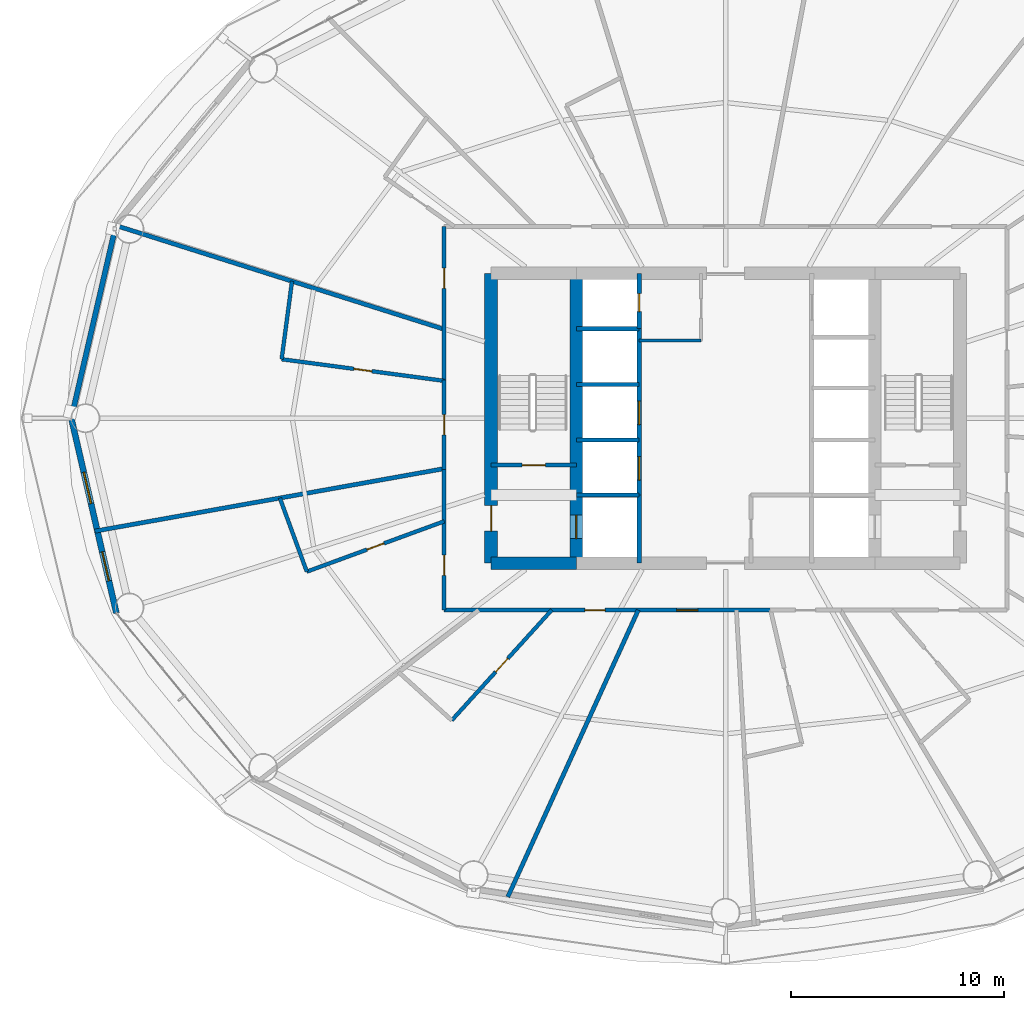
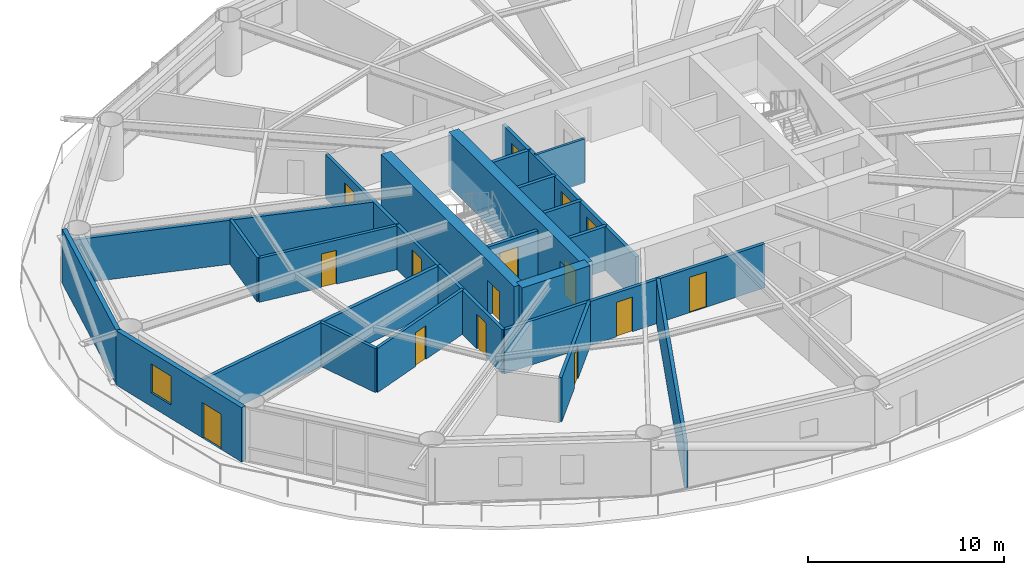
# One storey, part 20 of 26: 26 walls, 15 doors, 1 window, 16 openings.
"""IFC4 building model written with IfcOpenShell, lengths in metres."""

from ifc_helpers import new_model, si_unit, direction, frame, frame_2d, origin, place, context, subcontext, project, spatial, rectangle, extrude, material, layer, layer_set, type_object, element, fill, save


model = new_model("IFC4")

# Units and contexts
model_context = context("Model", 3, precision=1e-05, world=origin(), true_north=direction((0.0, 1.0)))
body_context = subcontext(model_context, "Body", "Model", "MODEL_VIEW")
ifc_project = project(units=[si_unit("LENGTHUNIT", "METRE"), si_unit("AREAUNIT", "SQUARE_METRE"), si_unit("VOLUMEUNIT", "CUBIC_METRE"), si_unit("PLANEANGLEUNIT", "RADIAN"), si_unit("MASSUNIT", "GRAM", prefix="KILO")], contexts=[model_context])

# Site, building, storey
site_placement = place(None, origin())
site = spatial("IfcSite", under=ifc_project, at=site_placement, CompositionType="ELEMENT")
building_placement = place(site_placement, origin())
building = spatial("IfcBuilding", under=site, at=building_placement, Name="Sarneth Arch Tower", CompositionType="ELEMENT")
storey_placement = place(building_placement, frame((0.0, 0.0, 49.800048828125)))
storey = spatial("IfcBuildingStorey", under=building, at=storey_placement, Name="L11", CompositionType="ELEMENT", Elevation=49.800048828125)

# Wall
ifc_material_1 = material(Name="Concrete C60/75", Category="concrete")
ifc_layer_1 = layer(ifc_material_1, 0.60009765625)
ifc_layer_set_1 = layer_set([ifc_layer_1], Name="Concrete C60/75")
wall_type_1 = type_object("IfcWallType", Name="WALL-CORE-600", PredefinedType="SHEAR", material=ifc_layer_set_1)
wall_1_placement = place(storey_placement, frame((37.0, 35.199951171875, 0.0), z_axis=(0.0, 0.0, 1.0), x_axis=(1.0, 0.0, 0.0)))
element("IfcWall", 1, at=wall_1_placement, inside=storey, type_object=wall_type_1, Name="L11 Core shear wall S-W", PredefinedType="SHEAR", context=body_context, shape_type="SweptSolid", body=[
    extrude(rectangle(XDim=4.0, YDim=0.60009765625, at=frame_2d((2.0, 0.0))), origin(), (0.0, 0.0, 1.0), 3.3798828125),
])

# Wall, opening, door
wall_2_placement = place(storey_placement, frame((37.0, 35.199951171875, 0.0), z_axis=(0.0, 0.0, 1.0), x_axis=(0.0, 1.0, 0.0)))
wall_2 = element("IfcWall", 2, at=wall_2_placement, inside=storey, type_object=wall_type_1, Name="L11 Core shear wall W", PredefinedType="SHEAR", context=body_context, shape_type="SweptSolid", body=[
    extrude(rectangle(XDim=13.60009765625, YDim=0.60009765625, at=frame_2d((6.800048828125, 0.0))), origin(), (0.0, 0.0, 1.0), 3.3798828125),
])
opening_1_placement = place(wall_2_placement, frame((1.5, 0.0, 0.0)))
opening_1 = element("IfcOpeningElement", 3, at=opening_1_placement, cuts=wall_2, Name="Opening FD-02", PredefinedType="OPENING", context=body_context, shape_type="SweptSolid", body=[
    extrude(rectangle(XDim=1.199951171875, YDim=2.14990234375, at=frame_2d((0.60009765625, 1.074951171875))), frame((0.0, 0.31005859375, 0.0), z_axis=(0.0, -1.0, 0.0), x_axis=(1.0, 0.0, 0.0)), (0.0, 0.0, 1.0), 0.6201171875),
])
ifc_material_2 = material(Name="Galvanised Steel S275 fire door set", Category="steel")
door_type_1 = type_object("IfcDoorType", Name="DR-FD90-1200", OperationType="SINGLE_SWING_LEFT", PredefinedType="DOOR", material=ifc_material_2)
door_1_placement = place(opening_1_placement, origin())
door_1 = element("IfcDoor", 4, at=door_1_placement, inside=storey, type_object=door_type_1, Name="L11 Firefighting lobby 1 exit door", OperationType="SINGLE_SWING_LEFT", OverallHeight=2.14990234375, OverallWidth=1.199951171875, PredefinedType="DOOR", context=body_context, shape_type="SweptSolid", body=[
    extrude(rectangle(XDim=1.199951171875, YDim=2.14990234375, at=frame_2d((0.60009765625, 1.074951171875))), frame((0.0, 0.02490234375, 0.0), z_axis=(0.0, -1.0, 0.0), x_axis=(1.0, 0.0, 0.0)), (0.0, 0.0, 1.0), 0.050048828125),
])
fill(opening_1, door_1)

wall_3_placement = place(storey_placement, frame((41.0, 35.199951171875, 0.0), z_axis=(0.0, 0.0, 1.0), x_axis=(0.0, 1.0, 0.0)))
wall_3 = element("IfcWall", 5, at=wall_3_placement, inside=storey, type_object=wall_type_1, Name="L11 Core shear wall WEB-W", PredefinedType="SHEAR", context=body_context, shape_type="SweptSolid", body=[
    extrude(rectangle(XDim=13.60009765625, YDim=0.60009765625, at=frame_2d((6.800048828125, 0.0))), origin(), (0.0, 0.0, 1.0), 3.3798828125),
])
opening_2_placement = place(wall_3_placement, frame((1.14990234375, 0.0, 0.0)))
opening_2 = element("IfcOpeningElement", 6, at=opening_2_placement, cuts=wall_3, Name="Opening LD-1", PredefinedType="OPENING", context=body_context, shape_type="SweptSolid", body=[
    extrude(rectangle(XDim=1.10009765625, YDim=2.199951171875, at=frame_2d((0.550048828125, 1.10009765625))), frame((0.0, 0.31005859375, 0.0), z_axis=(0.0, -1.0, 0.0), x_axis=(1.0, 0.0, 0.0)), (0.0, 0.0, 1.0), 0.6201171875),
])
ifc_material_3 = material(Name="Brushed Stainless Steel 304 lift landing door", Category="steel")
door_type_2 = type_object("IfcDoorType", Name="DR-LIFT-SLIDE-1100", OperationType="SLIDING_TO_LEFT", PredefinedType="DOOR", material=ifc_material_3)
door_2_placement = place(opening_2_placement, origin())
door_2 = element("IfcDoor", 7, at=door_2_placement, inside=storey, type_object=door_type_2, Name="L11 Firefighting lift landing door FL-1", OperationType="SLIDING_TO_LEFT", OverallHeight=2.199951171875, OverallWidth=1.10009765625, PredefinedType="DOOR", context=body_context, shape_type="SweptSolid", body=[
    extrude(rectangle(XDim=1.10009765625, YDim=2.199951171875, at=frame_2d((0.550048828125, 1.10009765625))), frame((0.0, 0.02490234375, 0.0), z_axis=(0.0, -1.0, 0.0), x_axis=(1.0, 0.0, 0.0)), (0.0, 0.0, 1.0), 0.050048828125),
])
fill(opening_2, door_2)

ifc_material_4 = material(Name="Double steel-stud corridor fire wall", Category="steel")
ifc_layer_2 = layer(ifc_material_4, 0.18994140625)
ifc_layer_set_2 = layer_set([ifc_layer_2], Name="Double steel-stud corridor fire wall")
wall_type_2 = type_object("IfcWallType", Name="WALL-CORR-190", PredefinedType="PARTITIONING", material=ifc_layer_set_2)
wall_4_placement = place(storey_placement, frame((34.800048828125, 43.7216796875, 0.0), z_axis=(0.0, 0.0, 1.0), x_axis=(0.0, 1.0, 0.0)))
wall_4 = element("IfcWall", 8, at=wall_4_placement, inside=storey, type_object=wall_type_2, Name="L11 Interior partition W-L11-TP-008", PredefinedType="PARTITIONING", context=body_context, shape_type="SweptSolid", body=[
    extrude(rectangle(XDim=7.2783203125, YDim=0.18994140625, at=frame_2d((3.63916015625, 0.0))), origin(), (0.0, 0.0, 1.0), 2.739990234375),
])
opening_3_placement = place(wall_4_placement, frame((4.372314453125, 0.0, 0.0)))
opening_3 = element("IfcOpeningElement", 9, at=opening_3_placement, cuts=wall_4, Name="Opening FD-09", PredefinedType="OPENING", context=body_context, shape_type="SweptSolid", body=[
    extrude(rectangle(XDim=0.949951171875, YDim=2.14990234375, at=frame_2d((0.47509765625, 1.074951171875))), frame((0.0, 0.10498046875, 0.0), z_axis=(0.0, -1.0, 0.0), x_axis=(1.0, 0.0, 0.0)), (0.0, 0.0, 1.0), 0.2099609375),
])
ifc_material_5 = material(Name="Hardwood timber hotel entrance fire door", Category="wood")
door_type_3 = type_object("IfcDoorType", Name="DR-FD60-950", OperationType="SINGLE_SWING_RIGHT", PredefinedType="DOOR", material=ifc_material_5)
door_3_placement = place(opening_3_placement, origin())
door_3 = element("IfcDoor", 10, at=door_3_placement, inside=storey, type_object=door_type_3, Name="L11 Interior door DR-L11-KEY-05", OperationType="SINGLE_SWING_RIGHT", OverallHeight=2.14990234375, OverallWidth=0.949951171875, PredefinedType="DOOR", context=body_context, shape_type="SweptSolid", body=[
    extrude(rectangle(XDim=0.949951171875, YDim=2.14990234375, at=frame_2d((0.47509765625, 1.074951171875))), frame((0.0, 0.02490234375, 0.0), z_axis=(0.0, -1.0, 0.0), x_axis=(1.0, 0.0, 0.0)), (0.0, 0.0, 1.0), 0.050048828125),
])
fill(opening_3, door_3)

# Wall, openings, doors
wall_5_placement = place(storey_placement, frame((50.143798828125, 33.0, 0.0), z_axis=(0.0, 0.0, 1.0), x_axis=(-1.0, 0.0, 0.0)))
wall_5 = element("IfcWall", 11, at=wall_5_placement, inside=storey, type_object=wall_type_2, Name="L11 Interior partition W-L11-TP-018", PredefinedType="PARTITIONING", context=body_context, shape_type="SweptSolid", body=[
    extrude(rectangle(XDim=15.34375, YDim=0.18994140625, at=frame_2d((7.671875, 0.0))), origin(), (0.0, 0.0, 1.0), 2.739990234375),
])
opening_4_placement = place(wall_5_placement, frame((3.4384765625, 0.0, 0.0)))
opening_4 = element("IfcOpeningElement", 12, at=opening_4_placement, cuts=wall_5, Name="Opening FD-08", PredefinedType="OPENING", context=body_context, shape_type="SweptSolid", body=[
    extrude(rectangle(XDim=1.0, YDim=2.199951171875, at=frame_2d((0.5, 1.10009765625))), frame((0.0, 0.10498046875, 0.0), z_axis=(0.0, -1.0, 0.0), x_axis=(1.0, 0.0, 0.0)), (0.0, 0.0, 1.0), 0.2099609375),
])
opening_5_placement = place(wall_5_placement, frame((7.798095703125, 0.0, 0.0)))
opening_5 = element("IfcOpeningElement", 13, at=opening_5_placement, cuts=wall_5, Name="Opening FD-09", PredefinedType="OPENING", context=body_context, shape_type="SweptSolid", body=[
    extrude(rectangle(XDim=0.949951171875, YDim=2.14990234375, at=frame_2d((0.47509765625, 1.074951171875))), frame((0.0, 0.10498046875, 0.0), z_axis=(0.0, -1.0, 0.0), x_axis=(1.0, 0.0, 0.0)), (0.0, 0.0, 1.0), 0.2099609375),
])
ifc_material_6 = material(Name="Hardwood timber acoustic fire door", Category="wood")
door_type_4 = type_object("IfcDoorType", Name="DR-FD60-1000", OperationType="SINGLE_SWING_LEFT", PredefinedType="DOOR", material=ifc_material_6)
door_4_placement = place(opening_4_placement, origin())
door_4 = element("IfcDoor", 14, at=door_4_placement, inside=storey, type_object=door_type_4, Name="L11 Interior door DR-L11-AMN-09", OperationType="SINGLE_SWING_RIGHT", OverallHeight=2.199951171875, OverallWidth=1.0, PredefinedType="DOOR", context=body_context, shape_type="SweptSolid", body=[
    extrude(rectangle(XDim=1.0, YDim=2.199951171875, at=frame_2d((0.5, 1.10009765625))), frame((0.0, 0.02490234375, 0.0), z_axis=(0.0, -1.0, 0.0), x_axis=(1.0, 0.0, 0.0)), (0.0, 0.0, 1.0), 0.050048828125),
])
fill(opening_4, door_4)
door_5_placement = place(opening_5_placement, origin())
door_5 = element("IfcDoor", 15, at=door_5_placement, inside=storey, type_object=door_type_3, Name="L11 Interior door DR-L11-KEY-08", OperationType="SINGLE_SWING_RIGHT", OverallHeight=2.14990234375, OverallWidth=0.949951171875, PredefinedType="DOOR", context=body_context, shape_type="SweptSolid", body=[
    extrude(rectangle(XDim=0.949951171875, YDim=2.14990234375, at=frame_2d((0.47509765625, 1.074951171875))), frame((0.0, 0.02490234375, 0.0), z_axis=(0.0, -1.0, 0.0), x_axis=(1.0, 0.0, 0.0)), (0.0, 0.0, 1.0), 0.050048828125),
])
fill(opening_5, door_5)

# Wall, opening, door
wall_6_placement = place(storey_placement, frame((34.800048828125, 33.0, 0.0), z_axis=(0.0, 0.0, 1.0), x_axis=(0.0, 1.0, 0.0)))
wall_6 = element("IfcWall", 16, at=wall_6_placement, inside=storey, type_object=wall_type_2, Name="L11 Interior partition W-L11-TP-014", PredefinedType="PARTITIONING", context=body_context, shape_type="SweptSolid", body=[
    extrude(rectangle(XDim=6.66845703125, YDim=0.18994140625, at=frame_2d((3.334228515625, 0.0))), origin(), (0.0, 0.0, 1.0), 2.739990234375),
])
opening_6_placement = place(wall_6_placement, frame((1.623779296875, 0.0, 0.0)))
opening_6 = element("IfcOpeningElement", 17, at=opening_6_placement, cuts=wall_6, Name="Opening FD-09", PredefinedType="OPENING", context=body_context, shape_type="SweptSolid", body=[
    extrude(rectangle(XDim=0.949951171875, YDim=2.14990234375, at=frame_2d((0.47509765625, 1.074951171875))), frame((0.0, 0.10498046875, 0.0), z_axis=(0.0, -1.0, 0.0), x_axis=(1.0, 0.0, 0.0)), (0.0, 0.0, 1.0), 0.2099609375),
])
door_6_placement = place(opening_6_placement, origin())
door_6 = element("IfcDoor", 18, at=door_6_placement, inside=storey, type_object=door_type_3, Name="L11 Interior door DR-L11-KEY-07", OperationType="SINGLE_SWING_LEFT", OverallHeight=2.14990234375, OverallWidth=0.949951171875, PredefinedType="DOOR", context=body_context, shape_type="SweptSolid", body=[
    extrude(rectangle(XDim=0.949951171875, YDim=2.14990234375, at=frame_2d((0.47509765625, 1.074951171875))), frame((0.0, 0.02490234375, 0.0), z_axis=(0.0, -1.0, 0.0), x_axis=(1.0, 0.0, 0.0)), (0.0, 0.0, 1.0), 0.050048828125),
])
fill(opening_6, door_6)

wall_7_placement = place(storey_placement, frame((34.800048828125, 39.603515625, 0.0), z_axis=(0.0, 0.0, 1.0), x_axis=(0.0, 1.0, 0.0)))
wall_7 = element("IfcWall", 19, at=wall_7_placement, inside=storey, type_object=wall_type_2, Name="L11 Interior partition W-L11-TP-011", PredefinedType="PARTITIONING", context=body_context, shape_type="SweptSolid", body=[
    extrude(rectangle(XDim=4.182861328125, YDim=0.18994140625, at=frame_2d((2.09130859375, 0.0))), origin(), (0.0, 0.0, 1.0), 2.739990234375),
])
opening_7_placement = place(wall_7_placement, frame((1.616455078125, 0.0, 0.0)))
opening_7 = element("IfcOpeningElement", 20, at=opening_7_placement, cuts=wall_7, Name="Opening FD-09", PredefinedType="OPENING", context=body_context, shape_type="SweptSolid", body=[
    extrude(rectangle(XDim=0.949951171875, YDim=2.14990234375, at=frame_2d((0.47509765625, 1.074951171875))), frame((0.0, 0.10498046875, 0.0), z_axis=(0.0, -1.0, 0.0), x_axis=(1.0, 0.0, 0.0)), (0.0, 0.0, 1.0), 0.2099609375),
])
door_7_placement = place(opening_7_placement, origin())
door_7 = element("IfcDoor", 21, at=door_7_placement, inside=storey, type_object=door_type_3, Name="L11 Interior door DR-L11-KEY-06", OperationType="SINGLE_SWING_LEFT", OverallHeight=2.14990234375, OverallWidth=0.949951171875, PredefinedType="DOOR", context=body_context, shape_type="SweptSolid", body=[
    extrude(rectangle(XDim=0.949951171875, YDim=2.14990234375, at=frame_2d((0.47509765625, 1.074951171875))), frame((0.0, 0.02490234375, 0.0), z_axis=(0.0, -1.0, 0.0), x_axis=(1.0, 0.0, 0.0)), (0.0, 0.0, 1.0), 0.050048828125),
])
fill(opening_7, door_7)

# Wall
ifc_material_7 = material(Name="Extruded terracotta rainscreen on Concrete C40/50 backing", Category="masonry")
ifc_layer_3 = layer(ifc_material_7, 0.25)
ifc_layer_set_3 = layer_set([ifc_layer_3], Name="Extruded terracotta rainscreen on Concrete C40/50 backing")
wall_type_3 = type_object("IfcWallType", Name="WALL-EXT-SPAND-250", PredefinedType="SOLIDWALL", material=ifc_layer_set_3)
wall_8_placement = place(storey_placement, frame((19.4189453125, 51.138427734375, 0.0), z_axis=(0.0, 0.0, 1.0), x_axis=(-0.225454452941, -0.974253709076, 0.0)))
element("IfcWall", 22, at=wall_8_placement, inside=storey, type_object=wall_type_3, Name="L11 Terracotta perimeter wall 08", PredefinedType="SOLIDWALL", context=body_context, shape_type="SweptSolid", body=[
    extrude(rectangle(XDim=9.3798828125, YDim=0.25, at=frame_2d((4.68994140625, 0.0))), origin(), (0.0, 0.0, 1.0), 3.3798828125),
])

# Wall, openings, door, window
ifc_material_8 = material(Name="Extruded terracotta rainscreen on Concrete C40/50 backing", Category="masonry")
ifc_layer_4 = layer(ifc_material_8, 0.280029296875)
ifc_layer_set_4 = layer_set([ifc_layer_4], Name="Extruded terracotta rainscreen on Concrete C40/50 backing")
wall_type_4 = type_object("IfcWallType", Name="WALL-EXT-TERRA-280", PredefinedType="SOLIDWALL", material=ifc_layer_set_4)
wall_9_placement = place(storey_placement, frame((17.30419921875, 42.0, 0.0), z_axis=(0.0, 0.0, 1.0), x_axis=(0.225454452941, -0.974253709076, 0.0)))
wall_9 = element("IfcWall", 23, at=wall_9_placement, inside=storey, type_object=wall_type_4, Name="L11 Terracotta perimeter wall 09", PredefinedType="SOLIDWALL", context=body_context, shape_type="SweptSolid", body=[
    extrude(rectangle(XDim=9.3798828125, YDim=0.280029296875, at=frame_2d((4.68994140625, 0.0))), origin(), (0.0, 0.0, 1.0), 3.3798828125),
])
opening_8_placement = place(wall_9_placement, frame((2.605712890625, 0.0, 0.85009765625)))
opening_8 = element("IfcOpeningElement", 24, at=opening_8_placement, cuts=wall_9, Name="Opening W-07", PredefinedType="OPENING", context=body_context, shape_type="SweptSolid", body=[
    extrude(rectangle(XDim=1.5, YDim=1.800048828125, at=frame_2d((0.75, 0.89990234375))), frame((0.0, 0.14990234375, 0.0), z_axis=(0.0, -1.0, 0.0), x_axis=(1.0, 0.0, 0.0)), (0.0, 0.0, 1.0), 0.300048828125),
])
opening_9_placement = place(wall_9_placement, frame((6.435302734375, 0.0, 0.0)))
opening_9 = element("IfcOpeningElement", 25, at=opening_9_placement, cuts=wall_9, Name="Opening BD-2", PredefinedType="OPENING", context=body_context, shape_type="SweptSolid", body=[
    extrude(rectangle(XDim=1.39990234375, YDim=2.199951171875, at=frame_2d((0.699951171875, 1.10009765625))), frame((0.0, 0.14990234375, 0.0), z_axis=(0.0, -1.0, 0.0), x_axis=(1.0, 0.0, 0.0)), (0.0, 0.0, 1.0), 0.300048828125),
])
ifc_material_9 = material(Name="Thermally broken Aluminium 6063-T6 and laminated safety glass", Category="aluminium")
door_type_5 = type_object("IfcDoorType", Name="DR-BALC-GLZ-1400", OperationType="SINGLE_SWING_LEFT", PredefinedType="DOOR", material=ifc_material_9)
door_8_placement = place(opening_9_placement, origin())
door_8 = element("IfcDoor", 26, at=door_8_placement, inside=storey, type_object=door_type_5, Name="L11 Balcony glazed door 09", OperationType="SINGLE_SWING_LEFT", OverallHeight=2.199951171875, OverallWidth=1.39990234375, PredefinedType="DOOR", context=body_context, shape_type="SweptSolid", body=[
    extrude(rectangle(XDim=1.39990234375, YDim=2.199951171875, at=frame_2d((0.699951171875, 1.10009765625))), frame((0.0, 0.02490234375, 0.0), z_axis=(0.0, -1.0, 0.0), x_axis=(1.0, 0.0, 0.0)), (0.0, 0.0, 1.0), 0.050048828125),
])
fill(opening_9, door_8)
ifc_material_10 = material(Name="Thermally broken Aluminium 6063-T6 and low-e laminated IGU", Category="aluminium")
window_type = type_object("IfcWindowType", Name="WIN-TWR-1500x1800", PartitioningType="SINGLE_PANEL", PredefinedType="WINDOW", material=ifc_material_10)
window_placement = place(opening_8_placement, origin())
window = element("IfcWindow", 27, at=window_placement, inside=storey, type_object=window_type, Name="L11 Exterior window 09A", OverallHeight=1.800048828125, OverallWidth=1.5, PartitioningType="SINGLE_PANEL", PredefinedType="WINDOW", context=body_context, shape_type="SweptSolid", body=[
    extrude(rectangle(XDim=1.5, YDim=1.800048828125, at=frame_2d((0.75, 0.89990234375))), frame((0.0, 0.030029296875, 0.0), z_axis=(0.0, -1.0, 0.0), x_axis=(1.0, 0.0, 0.0)), (0.0, 0.0, 1.0), 0.06005859375),
])
fill(opening_8, window)

# Wall
ifc_material_11 = material(Name="Acoustic gypsum stud partition", Category="gypsum")
ifc_layer_5 = layer(ifc_material_11, 0.14990234375)
ifc_layer_set_5 = layer_set([ifc_layer_5], Name="Acoustic gypsum stud partition")
wall_type_5 = type_object("IfcWallType", Name="WALL-PART-150", PredefinedType="PARTITIONING", material=ifc_layer_set_5)
wall_10_placement = place(storey_placement, frame((43.949951171875, 45.64990234375, 0.0), z_axis=(0.0, 0.0, 1.0), x_axis=(1.0, 0.0, 0.0)))
element("IfcWall", 28, at=wall_10_placement, inside=storey, type_object=wall_type_5, Name="L11 Interior partition W-L11-CSUP1-S", PredefinedType="PARTITIONING", context=body_context, shape_type="SweptSolid", body=[
    extrude(rectangle(XDim=2.900146484375, YDim=0.14990234375, at=frame_2d((1.4501953125, 0.0))), origin(), (0.0, 0.0, 1.0), 2.739990234375),
])

# Wall, opening, door
ifc_material_12 = material(Name="Moisture-resistant plumbing chase wall", Category="gypsum")
ifc_layer_6 = layer(ifc_material_12, 0.179931640625)
ifc_layer_set_6 = layer_set([ifc_layer_6], Name="Moisture-resistant plumbing chase wall")
wall_type_6 = type_object("IfcWallType", Name="WALL-PLUMB-180", PredefinedType="PLUMBINGWALL", material=ifc_layer_set_6)
wall_11_placement = place(storey_placement, frame((27.173095703125, 44.767578125, 0.0), z_axis=(0.0, 0.0, 1.0), x_axis=(0.991283239225, -0.131748015661, 0.0)))
wall_11 = element("IfcWall", 29, at=wall_11_placement, inside=storey, type_object=wall_type_6, Name="L11 Interior partition W-L11-TP-045", PredefinedType="PLUMBINGWALL", context=body_context, shape_type="SweptSolid", body=[
    extrude(rectangle(XDim=7.694091796875, YDim=0.179931640625, at=frame_2d((3.84716796875, 0.0))), origin(), (0.0, 0.0, 1.0), 2.739990234375),
])
opening_10_placement = place(wall_11_placement, frame((3.421875, 0.0, 0.0)))
opening_10 = element("IfcOpeningElement", 30, at=opening_10_placement, cuts=wall_11, Name="Opening ID-02", PredefinedType="OPENING", context=body_context, shape_type="SweptSolid", body=[
    extrude(rectangle(XDim=0.85009765625, YDim=2.10009765625, at=frame_2d((0.425048828125, 1.050048828125))), frame((0.0, 0.099853515625, 0.0), z_axis=(0.0, -1.0, 0.0), x_axis=(1.0, 0.0, 0.0)), (0.0, 0.0, 1.0), 0.199951171875),
])
ifc_material_13 = material(Name="Moisture-resistant bathroom timber door", Category="wood")
door_type_6 = type_object("IfcDoorType", Name="DR-INT-850", OperationType="SINGLE_SWING_RIGHT", PredefinedType="DOOR", material=ifc_material_13)
door_9_placement = place(opening_10_placement, origin())
door_9 = element("IfcDoor", 31, at=door_9_placement, inside=storey, type_object=door_type_6, Name="L11 Interior door DR-L11-ENS-06", OperationType="SINGLE_SWING_RIGHT", OverallHeight=2.10009765625, OverallWidth=0.85009765625, PredefinedType="DOOR", context=body_context, shape_type="SweptSolid", body=[
    extrude(rectangle(XDim=0.85009765625, YDim=2.10009765625, at=frame_2d((0.425048828125, 1.050048828125))), frame((0.0, 0.02490234375, 0.0), z_axis=(0.0, -1.0, 0.0), x_axis=(1.0, 0.0, 0.0)), (0.0, 0.0, 1.0), 0.050048828125),
])
fill(opening_10, door_9)

wall_12_placement = place(storey_placement, frame((35.15478515625, 27.826171875, 0.0), z_axis=(0.0, 0.0, 1.0), x_axis=(0.671533822983, 0.740973902773, 0.0)))
wall_12 = element("IfcWall", 32, at=wall_12_placement, inside=storey, type_object=wall_type_6, Name="L11 Interior partition W-L11-TP-053", PredefinedType="PLUMBINGWALL", context=body_context, shape_type="SweptSolid", body=[
    extrude(rectangle(XDim=6.982421875, YDim=0.179931640625, at=frame_2d((3.4912109375, 0.0))), origin(), (0.0, 0.0, 1.0), 2.739990234375),
])
opening_11_placement = place(wall_12_placement, frame((3.066162109375, 0.0, 0.0)))
opening_11 = element("IfcOpeningElement", 33, at=opening_11_placement, cuts=wall_12, Name="Opening ID-02", PredefinedType="OPENING", context=body_context, shape_type="SweptSolid", body=[
    extrude(rectangle(XDim=0.85009765625, YDim=2.10009765625, at=frame_2d((0.425048828125, 1.050048828125))), frame((0.0, 0.099853515625, 0.0), z_axis=(0.0, -1.0, 0.0), x_axis=(1.0, 0.0, 0.0)), (0.0, 0.0, 1.0), 0.199951171875),
])
door_10_placement = place(opening_11_placement, origin())
door_10 = element("IfcDoor", 34, at=door_10_placement, inside=storey, type_object=door_type_6, Name="L11 Interior door DR-L11-ENS-08", OperationType="SINGLE_SWING_RIGHT", OverallHeight=2.10009765625, OverallWidth=0.85009765625, PredefinedType="DOOR", context=body_context, shape_type="SweptSolid", body=[
    extrude(rectangle(XDim=0.85009765625, YDim=2.10009765625, at=frame_2d((0.425048828125, 1.050048828125))), frame((0.0, 0.02490234375, 0.0), z_axis=(0.0, -1.0, 0.0), x_axis=(1.0, 0.0, 0.0)), (0.0, 0.0, 1.0), 0.050048828125),
])
fill(opening_11, door_10)

wall_13_placement = place(storey_placement, frame((28.354248046875, 34.8017578125, 0.0), z_axis=(0.0, 0.0, 1.0), x_axis=(0.938953689431, 0.344043556986, 0.0)))
wall_13 = element("IfcWall", 35, at=wall_13_placement, inside=storey, type_object=wall_type_6, Name="L11 Interior partition W-L11-TP-049", PredefinedType="PLUMBINGWALL", context=body_context, shape_type="SweptSolid", body=[
    extrude(rectangle(XDim=6.864990234375, YDim=0.179931640625, at=frame_2d((3.4326171875, 0.0))), origin(), (0.0, 0.0, 1.0), 2.739990234375),
])
opening_12_placement = place(wall_13_placement, frame((3.00732421875, 0.0, 0.0)))
opening_12 = element("IfcOpeningElement", 36, at=opening_12_placement, cuts=wall_13, Name="Opening ID-02", PredefinedType="OPENING", context=body_context, shape_type="SweptSolid", body=[
    extrude(rectangle(XDim=0.85009765625, YDim=2.10009765625, at=frame_2d((0.425048828125, 1.050048828125))), frame((0.0, 0.099853515625, 0.0), z_axis=(0.0, -1.0, 0.0), x_axis=(1.0, 0.0, 0.0)), (0.0, 0.0, 1.0), 0.199951171875),
])
door_11_placement = place(opening_12_placement, origin())
door_11 = element("IfcDoor", 37, at=door_11_placement, inside=storey, type_object=door_type_6, Name="L11 Interior door DR-L11-ENS-07", OperationType="SINGLE_SWING_RIGHT", OverallHeight=2.10009765625, OverallWidth=0.85009765625, PredefinedType="DOOR", context=body_context, shape_type="SweptSolid", body=[
    extrude(rectangle(XDim=0.85009765625, YDim=2.10009765625, at=frame_2d((0.425048828125, 1.050048828125))), frame((0.0, 0.02490234375, 0.0), z_axis=(0.0, -1.0, 0.0), x_axis=(1.0, 0.0, 0.0)), (0.0, 0.0, 1.0), 0.050048828125),
])
fill(opening_12, door_11)

# Walls
wall_14_placement = place(storey_placement, frame((27.65966796875, 48.42822265625, 0.0), z_axis=(0.0, 0.0, 1.0), x_axis=(-0.131760975246, -0.991281516726, 0.0)))
element("IfcWall", 38, at=wall_14_placement, inside=storey, type_object=wall_type_6, Name="L11 Interior partition W-L11-TP-044", PredefinedType="PLUMBINGWALL", context=body_context, shape_type="SweptSolid", body=[
    extrude(rectangle(XDim=3.69287109375, YDim=0.179931640625, at=frame_2d((1.846435546875, 0.0))), origin(), (0.0, 0.0, 1.0), 2.739990234375),
])
wall_15_placement = place(storey_placement, frame((27.089111328125, 38.2548828125, 0.0), z_axis=(0.0, 0.0, 1.0), x_axis=(0.344012760863, -0.938964972916, 0.0)))
element("IfcWall", 39, at=wall_15_placement, inside=storey, type_object=wall_type_6, Name="L11 Interior partition W-L11-TP-048", PredefinedType="PLUMBINGWALL", context=body_context, shape_type="SweptSolid", body=[
    extrude(rectangle(XDim=3.677490234375, YDim=0.179931640625, at=frame_2d((1.8388671875, 0.0))), origin(), (0.0, 0.0, 1.0), 2.739990234375),
])

# Wall, opening, door
ifc_material_14 = material(Name="Aerated concrete blockwork C25/30", Category="masonry")
ifc_layer_7 = layer(ifc_material_14, 0.199951171875)
ifc_layer_set_7 = layer_set([ifc_layer_7], Name="Aerated concrete blockwork C25/30")
wall_type_7 = type_object("IfcWallType", Name="WALL-SHAFT-200", PredefinedType="SOLIDWALL", material=ifc_layer_set_7)
wall_16_placement = place(storey_placement, frame((37.0, 39.800048828125, 0.0), z_axis=(0.0, 0.0, 1.0), x_axis=(1.0, 0.0, 0.0)))
wall_16 = element("IfcWall", 40, at=wall_16_placement, inside=storey, type_object=wall_type_7, Name="L11 Interior partition W-L11-ST1-S", PredefinedType="SOLIDWALL", context=body_context, shape_type="SweptSolid", body=[
    extrude(rectangle(XDim=4.0, YDim=0.199951171875, at=frame_2d((2.0, 0.0))), origin(), (0.0, 0.0, 1.0), 2.739990234375),
])
opening_13_placement = place(wall_16_placement, frame((1.449951171875, 0.0, 0.0)))
opening_13 = element("IfcOpeningElement", 41, at=opening_13_placement, cuts=wall_16, Name="Opening FD-03", PredefinedType="OPENING", context=body_context, shape_type="SweptSolid", body=[
    extrude(rectangle(XDim=1.10009765625, YDim=2.14990234375, at=frame_2d((0.550048828125, 1.074951171875))), frame((0.0, 0.10986328125, 0.0), z_axis=(0.0, -1.0, 0.0), x_axis=(1.0, 0.0, 0.0)), (0.0, 0.0, 1.0), 0.219970703125),
])
ifc_material_15 = material(Name="Galvanised Steel S275 fire door set", Category="steel")
door_type_7 = type_object("IfcDoorType", Name="DR-FD90-1100", OperationType="SINGLE_SWING_LEFT", PredefinedType="DOOR", material=ifc_material_15)
door_12_placement = place(opening_13_placement, origin())
door_12 = element("IfcDoor", 42, at=door_12_placement, inside=storey, type_object=door_type_7, Name="L11 Interior door DR-L11-ST1", OperationType="SINGLE_SWING_LEFT", OverallHeight=2.14990234375, OverallWidth=1.10009765625, PredefinedType="DOOR", context=body_context, shape_type="SweptSolid", body=[
    extrude(rectangle(XDim=1.10009765625, YDim=2.14990234375, at=frame_2d((0.550048828125, 1.074951171875))), frame((0.0, 0.02490234375, 0.0), z_axis=(0.0, -1.0, 0.0), x_axis=(1.0, 0.0, 0.0)), (0.0, 0.0, 1.0), 0.050048828125),
])
fill(opening_13, door_12)

# Walls
wall_17_placement = place(storey_placement, frame((43.949951171875, 35.199951171875, 0.0), z_axis=(0.0, 0.0, 1.0), x_axis=(0.0, 1.0, 0.0)))
element("IfcWall", 43, at=wall_17_placement, inside=storey, type_object=wall_type_7, Name="L11 Interior partition W-L11-FL1-E", PredefinedType="SOLIDWALL", context=body_context, shape_type="SweptSolid", body=[
    extrude(rectangle(XDim=3.199951171875, YDim=0.199951171875, at=frame_2d((1.60009765625, 0.0))), origin(), (0.0, 0.0, 1.0), 2.739990234375),
])
for number, where, z_axis, x_axis, name in (
    (44, (41.0, 38.39990234375, 0.0), (0.0, 0.0, 1.0), (1.0, 0.0, 0.0), "L11 Interior partition W-L11-FL1-N"),
    (45, (41.0, 46.199951171875, 0.0), (0.0, 0.0, 1.0), (1.0, 0.0, 0.0), "L11 Interior partition W-L11-RISER-S"),
):
    element("IfcWall", number, at=place(storey_placement, frame(where, z_axis=z_axis, x_axis=x_axis)), inside=storey, type_object=wall_type_7, Name=name, PredefinedType="SOLIDWALL", context=body_context, shape_type="SweptSolid", body=[
        extrude(rectangle(XDim=2.949951171875, YDim=0.199951171875, at=frame_2d((1.47509765625, 0.0))), origin(), (0.0, 0.0, 1.0), 2.739990234375),
    ])

# Wall, opening, door
wall_18_placement = place(storey_placement, frame((43.949951171875, 46.199951171875, 0.0), z_axis=(0.0, 0.0, 1.0), x_axis=(0.0, 1.0, 0.0)))
wall_18 = element("IfcWall", 46, at=wall_18_placement, inside=storey, type_object=wall_type_7, Name="L11 Interior partition W-L11-RISER-E", PredefinedType="SOLIDWALL", context=body_context, shape_type="SweptSolid", body=[
    extrude(rectangle(XDim=2.60009765625, YDim=0.199951171875, at=frame_2d((1.300048828125, 0.0))), origin(), (0.0, 0.0, 1.0), 2.739990234375),
])
opening_14_placement = place(wall_18_placement, frame((0.800048828125, 0.0, 0.0)))
opening_14 = element("IfcOpeningElement", 47, at=opening_14_placement, cuts=wall_18, Name="Opening FD-11", PredefinedType="OPENING", context=body_context, shape_type="SweptSolid", body=[
    extrude(rectangle(XDim=0.85009765625, YDim=2.14990234375, at=frame_2d((0.425048828125, 1.074951171875))), frame((0.0, 0.10986328125, 0.0), z_axis=(0.0, -1.0, 0.0), x_axis=(1.0, 0.0, 0.0)), (0.0, 0.0, 1.0), 0.219970703125),
])
ifc_material_16 = material(Name="Galvanised Steel S275 closet fire door", Category="steel")
door_type_8 = type_object("IfcDoorType", Name="DR-FD60-850", OperationType="SINGLE_SWING_LEFT", PredefinedType="DOOR", material=ifc_material_16)
door_13_placement = place(opening_14_placement, origin())
door_13 = element("IfcDoor", 48, at=door_13_placement, inside=storey, type_object=door_type_8, Name="L11 Lift landing door DR-L11-RISER", OperationType="SINGLE_SWING_LEFT", OverallHeight=2.14990234375, OverallWidth=0.85009765625, PredefinedType="DOOR", context=body_context, shape_type="SweptSolid", body=[
    extrude(rectangle(XDim=0.85009765625, YDim=2.14990234375, at=frame_2d((0.425048828125, 1.074951171875))), frame((0.0, 0.02490234375, 0.0), z_axis=(0.0, -1.0, 0.0), x_axis=(1.0, 0.0, 0.0)), (0.0, 0.0, 1.0), 0.050048828125),
])
fill(opening_14, door_13)

# Wall, openings, doors
wall_19_placement = place(storey_placement, frame((43.949951171875, 38.39990234375, 0.0), z_axis=(0.0, 0.0, 1.0), x_axis=(0.0, 1.0, 0.0)))
wall_19 = element("IfcWall", 49, at=wall_19_placement, inside=storey, type_object=wall_type_7, Name="L11 Interior partition W-L11-WESTBANK-FRONT", PredefinedType="SOLIDWALL", context=body_context, shape_type="SweptSolid", body=[
    extrude(rectangle(XDim=7.800048828125, YDim=0.199951171875, at=frame_2d((3.89990234375, 0.0))), origin(), (0.0, 0.0, 1.0), 2.739990234375),
])
opening_15_placement = place(wall_19_placement, frame((0.699951171875, 0.0, 0.0)))
opening_15 = element("IfcOpeningElement", 50, at=opening_15_placement, cuts=wall_19, Name="Opening LD-1", PredefinedType="OPENING", context=body_context, shape_type="SweptSolid", body=[
    extrude(rectangle(XDim=1.10009765625, YDim=2.199951171875, at=frame_2d((0.550048828125, 1.10009765625))), frame((0.0, 0.10986328125, 0.0), z_axis=(0.0, -1.0, 0.0), x_axis=(1.0, 0.0, 0.0)), (0.0, 0.0, 1.0), 0.219970703125),
])
opening_16_placement = place(wall_19_placement, frame((3.300048828125, 0.0, 0.0)))
opening_16 = element("IfcOpeningElement", 51, at=opening_16_placement, cuts=wall_19, Name="Opening LD-1", PredefinedType="OPENING", context=body_context, shape_type="SweptSolid", body=[
    extrude(rectangle(XDim=1.10009765625, YDim=2.199951171875, at=frame_2d((0.550048828125, 1.10009765625))), frame((0.0, 0.10986328125, 0.0), z_axis=(0.0, -1.0, 0.0), x_axis=(1.0, 0.0, 0.0)), (0.0, 0.0, 1.0), 0.219970703125),
])
door_14_placement = place(opening_15_placement, origin())
door_14 = element("IfcDoor", 52, at=door_14_placement, inside=storey, type_object=door_type_2, Name="L11 Lift landing door DR-L11-LD-PL1", OperationType="SLIDING_TO_LEFT", OverallHeight=2.199951171875, OverallWidth=1.10009765625, PredefinedType="DOOR", context=body_context, shape_type="SweptSolid", body=[
    extrude(rectangle(XDim=1.10009765625, YDim=2.199951171875, at=frame_2d((0.550048828125, 1.10009765625))), frame((0.0, 0.02490234375, 0.0), z_axis=(0.0, -1.0, 0.0), x_axis=(1.0, 0.0, 0.0)), (0.0, 0.0, 1.0), 0.050048828125),
])
fill(opening_15, door_14)
door_15_placement = place(opening_16_placement, origin())
door_15 = element("IfcDoor", 53, at=door_15_placement, inside=storey, type_object=door_type_2, Name="L11 Lift landing door DR-L11-LD-PL2", OperationType="SLIDING_TO_RIGHT", OverallHeight=2.199951171875, OverallWidth=1.10009765625, PredefinedType="DOOR", context=body_context, shape_type="SweptSolid", body=[
    extrude(rectangle(XDim=1.10009765625, YDim=2.199951171875, at=frame_2d((0.550048828125, 1.10009765625))), frame((0.0, 0.02490234375, 0.0), z_axis=(0.0, -1.0, 0.0), x_axis=(1.0, 0.0, 0.0)), (0.0, 0.0, 1.0), 0.050048828125),
])
fill(opening_16, door_15)

# Walls
for number, where, z_axis, x_axis, name in (
    (54, (41.0, 40.97998046875, 0.0), (0.0, 0.0, 1.0), (1.0, 0.0, 0.0), "L11 Interior partition W-L11-WB-DIV-4098"),
    (55, (41.0, 43.580078125, 0.0), (0.0, 0.0, 1.0), (1.0, 0.0, 0.0), "L11 Interior partition W-L11-WB-DIV-4358"),
):
    element("IfcWall", number, at=place(storey_placement, frame(where, z_axis=z_axis, x_axis=x_axis)), inside=storey, type_object=wall_type_7, Name=name, PredefinedType="SOLIDWALL", context=body_context, shape_type="SweptSolid", body=[
        extrude(rectangle(XDim=2.949951171875, YDim=0.199951171875, at=frame_2d((1.47509765625, 0.0))), origin(), (0.0, 0.0, 1.0), 2.739990234375),
    ])
ifc_material_17 = material(Name="Double steel-stud acoustic drywall", Category="steel")
ifc_layer_8 = layer(ifc_material_17, 0.199951171875)
ifc_layer_set_8 = layer_set([ifc_layer_8], Name="Double steel-stud acoustic drywall")
wall_type_8 = type_object("IfcWallType", Name="WALL-UNIT-200", PredefinedType="PARTITIONING", material=ifc_layer_set_8)
wall_20_placement = place(storey_placement, frame((37.782958984375, 19.541015625, 0.0), z_axis=(0.0, 0.0, 1.0), x_axis=(0.414087801136, 0.910236943301, 0.0)))
element("IfcWall", 56, at=wall_20_placement, inside=storey, type_object=wall_type_8, Name="L11 Interior partition W-L11-TP-054", PredefinedType="PARTITIONING", context=body_context, shape_type="SweptSolid", body=[
    extrude(rectangle(XDim=14.7861328125, YDim=0.199951171875, at=frame_2d((7.39306640625, 0.0))), origin(), (0.0, 0.0, 1.0), 2.739990234375),
])
wall_21_placement = place(storey_placement, frame((34.800048828125, 39.635986328125, 0.0), z_axis=(0.0, 0.0, 1.0), x_axis=(-0.984338200058, -0.176290407871, 0.0)))
element("IfcWall", 57, at=wall_21_placement, inside=storey, type_object=wall_type_8, Name="L11 Interior partition W-L11-TP-046", PredefinedType="PARTITIONING", context=body_context, shape_type="SweptSolid", body=[
    extrude(rectangle(XDim=16.653076171875, YDim=0.199951171875, at=frame_2d((8.32666015625, 0.0))), origin(), (0.0, 0.0, 1.0), 2.739990234375),
])
wall_22_placement = place(storey_placement, frame((34.800048828125, 46.171630859375, 0.0), z_axis=(0.0, 0.0, 1.0), x_axis=(-0.953511676516, 0.301356073023, 0.0)))
element("IfcWall", 58, at=wall_22_placement, inside=storey, type_object=wall_type_8, Name="L11 Interior partition W-L11-TP-042", PredefinedType="PARTITIONING", context=body_context, shape_type="SweptSolid", body=[
    extrude(rectangle(XDim=16.27490234375, YDim=0.199951171875, at=frame_2d((8.137451171875, 0.0))), origin(), (0.0, 0.0, 1.0), 2.739990234375),
])

save(model, "model.ifc")
